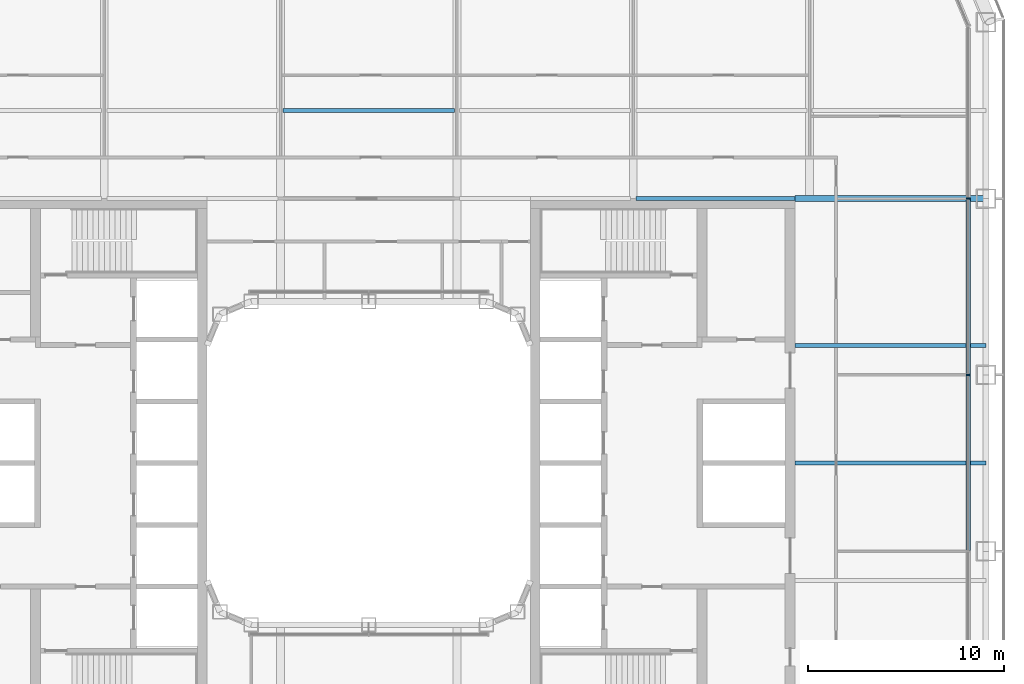
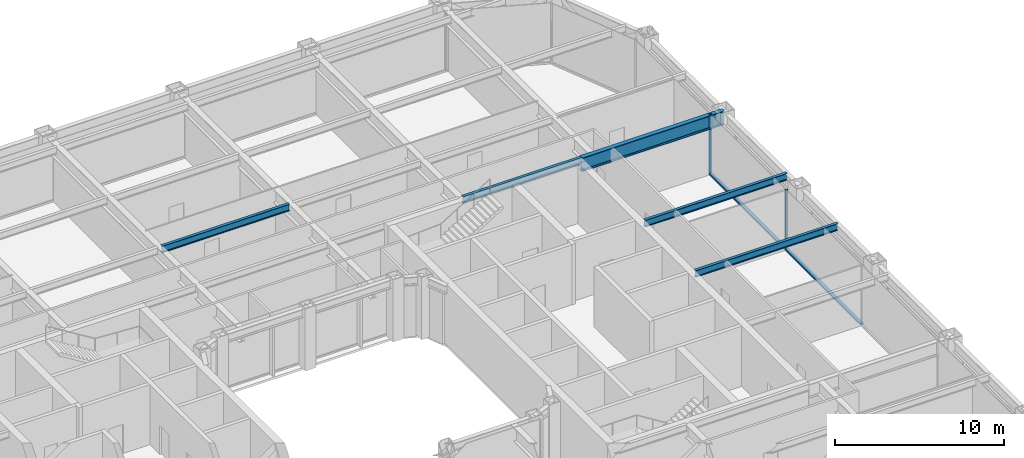
# One storey, part 9 of 27: 5 beams, 4 members, 1 element without a shape of its own.
"""IFC4 building model written with IfcOpenShell, lengths in metres."""

from ifc_helpers import new_model, si_unit, direction, frame, origin, origin_2d, place, context, subcontext, project, spatial, rectangle, i_section, extrude, material, layer, layer_set, material_profile, profile_set, type_object, element, aggregate, save


model = new_model("IFC4")

# Units and contexts
model_context = context("Model", 3, precision=1e-05, world=origin(), true_north=direction((0.0, 1.0)))
body_context = subcontext(model_context, "Body", "Model", "MODEL_VIEW")
ifc_project = project(units=[si_unit("LENGTHUNIT", "METRE"), si_unit("AREAUNIT", "SQUARE_METRE"), si_unit("VOLUMEUNIT", "CUBIC_METRE"), si_unit("PLANEANGLEUNIT", "RADIAN"), si_unit("MASSUNIT", "GRAM", prefix="KILO")], contexts=[model_context])

# Site, building, storey
site_placement = place(None, origin())
site = spatial("IfcSite", under=ifc_project, at=site_placement, CompositionType="ELEMENT")
building_placement = place(site_placement, origin())
building = spatial("IfcBuilding", under=site, at=building_placement, Name="Siwar Civic Tower", CompositionType="ELEMENT")
storey_placement = place(building_placement, frame((0.0, 0.0, 53.699951171875)))
storey = spatial("IfcBuildingStorey", under=building, at=storey_placement, Name="L11", CompositionType="ELEMENT", Elevation=53.699951171875)

# Curtain wall, members
ifc_material_1 = material(Name="Aluminium and glass", Category="aluminium")
ifc_layer = layer(ifc_material_1, 0.219970703125)
ifc_layer_set = layer_set([ifc_layer], Name="Aluminium and glass")
curtain_wall_type = type_object("IfcCurtainWallType", Name="ENV-CW-A", PredefinedType="NOTDEFINED", material=ifc_layer_set)
curtain_wall_placement = place(storey_placement, origin())
curtain_wall = element("IfcCurtainWall", 1, at=curtain_wall_placement, inside=storey, type_object=curtain_wall_type, Name="Curtain wall A E", PredefinedType="NOTDEFINED")
ifc_material_2 = material(Name="Aluminium 6063-T6", Category="aluminium")
ifc_material_profile_1 = material_profile(ifc_material_2, rectangle(XDim=0.219970703125, YDim=0.070068359375, at=origin_2d()), Name="AL 220x70")
ifc_profile_set_1 = profile_set([ifc_material_profile_1], Name="Aluminium 6063-T6")
member_type_1 = type_object("IfcMemberType", Name="ENV-MULLION-A", PredefinedType="MULLION", material=ifc_profile_set_1)
member_1_placement = place(storey_placement, frame((30.60009765625, 4.5, 0.0), z_axis=(0.0, 0.0, 1.0), x_axis=(-1.0, 0.0, 0.0)))
member_1 = element("IfcMember", 2, at=member_1_placement, type_object=member_type_1, Name="Mullion A E 4", PredefinedType="MULLION", context=body_context, shape_type="SweptSolid", body=[
    extrude(rectangle(XDim=0.219970703125, YDim=0.070068359375, at=origin_2d()), origin(), (0.0, 0.0, 1.0), 4.35009765625),
])
member_2_placement = place(storey_placement, frame((30.60009765625, 13.5, 0.0), z_axis=(0.0, 0.0, 1.0), x_axis=(-1.0, 0.0, 0.0)))
member_2 = element("IfcMember", 3, at=member_2_placement, type_object=member_type_1, Name="Mullion A E 5", PredefinedType="MULLION", context=body_context, shape_type="SweptSolid", body=[
    extrude(rectangle(XDim=0.219970703125, YDim=0.070068359375, at=origin_2d()), origin(), (0.0, 0.0, 1.0), 4.35009765625),
])
ifc_material_3 = material(Name="Aluminium 6063-T6", Category="aluminium")
ifc_material_profile_2 = material_profile(ifc_material_3, rectangle(XDim=0.219970703125, YDim=0.1201171875, at=origin_2d()), Name="AL 220x120")
ifc_profile_set_2 = profile_set([ifc_material_profile_2], Name="Aluminium 6063-T6")
member_type_2 = type_object("IfcMemberType", Name="ENV-TRANSOM-A", PredefinedType="USERDEFINED", material=ifc_profile_set_2)
member_3_placement = place(storey_placement, frame((30.60009765625, -4.465087890625, 0.06005859375), z_axis=(0.0, 1.0, 0.0), x_axis=(-1.0, 0.0, 0.0)))
member_3 = element("IfcMember", 4, at=member_3_placement, type_object=member_type_2, Name="Transom A E 3", ObjectType="TRANSOM", PredefinedType="USERDEFINED", context=body_context, shape_type="SweptSolid", body=[
    extrude(rectangle(XDim=0.219970703125, YDim=0.1201171875, at=origin_2d()), origin(), (0.0, 0.0, 1.0), 8.93017578125),
])
member_4_placement = place(storey_placement, frame((30.60009765625, 4.534912109375, 0.06005859375), z_axis=(0.0, 1.0, 0.0), x_axis=(-1.0, 0.0, 0.0)))
member_4 = element("IfcMember", 5, at=member_4_placement, type_object=member_type_2, Name="Transom A E 4", ObjectType="TRANSOM", PredefinedType="USERDEFINED", context=body_context, shape_type="SweptSolid", body=[
    extrude(rectangle(XDim=0.219970703125, YDim=0.1201171875, at=origin_2d()), origin(), (0.0, 0.0, 1.0), 8.93017578125),
])
aggregate(curtain_wall, [member_1, member_2, member_3, member_4])

# Beams
ifc_material_4 = material(Name="Steel S355", Category="steel")
ifc_material_profile_3 = material_profile(ifc_material_4, i_section(OverallWidth=0.199951171875, OverallDepth=0.5, WebThickness=0.01025390625, FlangeThickness=0.01611328125, FilletRadius=0.02099609375, at=origin_2d()), Name="IPE500")
ifc_profile_set_3 = profile_set([ifc_material_profile_3], Name="Steel S355")
beam_type_1 = type_object("IfcBeamType", Name="STR-FB-IPE500", PredefinedType="JOIST", material=ifc_profile_set_3)
for number, where, z_axis, x_axis, name in (
    (6, (21.75, 0.0, 4.10009765625), (1.0, 0.0, 0.0), (0.0, 1.0, 0.0), "L11/bm/F034"),
    (7, (21.75, 6.0, 4.10009765625), (1.0, 0.0, 0.0), (0.0, 1.0, 0.0), "L11/bm/F036"),
):
    element("IfcBeam", number, at=place(storey_placement, frame(where, z_axis=z_axis, x_axis=x_axis)), inside=storey, type_object=beam_type_1, Name=name, PredefinedType="JOIST", context=body_context, shape_type="SweptSolid", body=[
        extrude(i_section(OverallWidth=0.199951171875, OverallDepth=0.5, WebThickness=0.01025390625, FlangeThickness=0.01611328125, FilletRadius=0.02099609375, at=origin_2d()), origin(), (0.0, 0.0, 1.0), 9.75),
    ])
beam_1_placement = place(storey_placement, frame((13.6298828125, 13.5, 4.10009765625), z_axis=(1.0, 0.0, 0.0), x_axis=(0.0, 1.0, 0.0)))
element("IfcBeam", 8, at=beam_1_placement, inside=storey, type_object=beam_type_1, Name="L11/bm/F044", PredefinedType="JOIST", context=body_context, shape_type="SweptSolid", body=[
    extrude(i_section(OverallWidth=0.199951171875, OverallDepth=0.5, WebThickness=0.01025390625, FlangeThickness=0.01611328125, FilletRadius=0.02099609375, at=origin_2d()), origin(), (0.0, 0.0, 1.0), 8.1201171875),
])
beam_2_placement = place(storey_placement, frame((-4.3701171875, 18.0, 4.10009765625), z_axis=(1.0, 0.0, 0.0), x_axis=(0.0, 1.0, 0.0)))
element("IfcBeam", 9, at=beam_2_placement, inside=storey, type_object=beam_type_1, Name="L11/bm/F049", PredefinedType="JOIST", context=body_context, shape_type="SweptSolid", body=[
    extrude(i_section(OverallWidth=0.199951171875, OverallDepth=0.5, WebThickness=0.01025390625, FlangeThickness=0.01611328125, FilletRadius=0.02099609375, at=origin_2d()), origin(), (0.0, 0.0, 1.0), 8.740234375),
])
ifc_material_5 = material(Name="Steel S355", Category="steel")
ifc_material_profile_4 = material_profile(ifc_material_5, i_section(OverallWidth=0.300048828125, OverallDepth=1.0, WebThickness=0.01904296875, FlangeThickness=0.035888671875, FilletRadius=0.030029296875, at=origin_2d()), Name="HEB1000")
ifc_profile_set_4 = profile_set([ifc_material_profile_4], Name="Steel S355")
beam_type_2 = type_object("IfcBeamType", Name="STR-PG-HEB1000", PredefinedType="BEAM", material=ifc_profile_set_4)
beam_3_placement = place(storey_placement, frame((21.75, 13.5, 3.85009765625), z_axis=(1.0, 0.0, 0.0), x_axis=(0.0, 1.0, 0.0)))
element("IfcBeam", 10, at=beam_3_placement, inside=storey, type_object=beam_type_2, Name="L11/bm/F045", PredefinedType="BEAM", context=body_context, shape_type="SweptSolid", body=[
    extrude(i_section(OverallWidth=0.300048828125, OverallDepth=1.0, WebThickness=0.01904296875, FlangeThickness=0.035888671875, FilletRadius=0.030029296875, at=origin_2d()), origin(), (0.0, 0.0, 1.0), 9.75),
])

save(model, "model.ifc")
